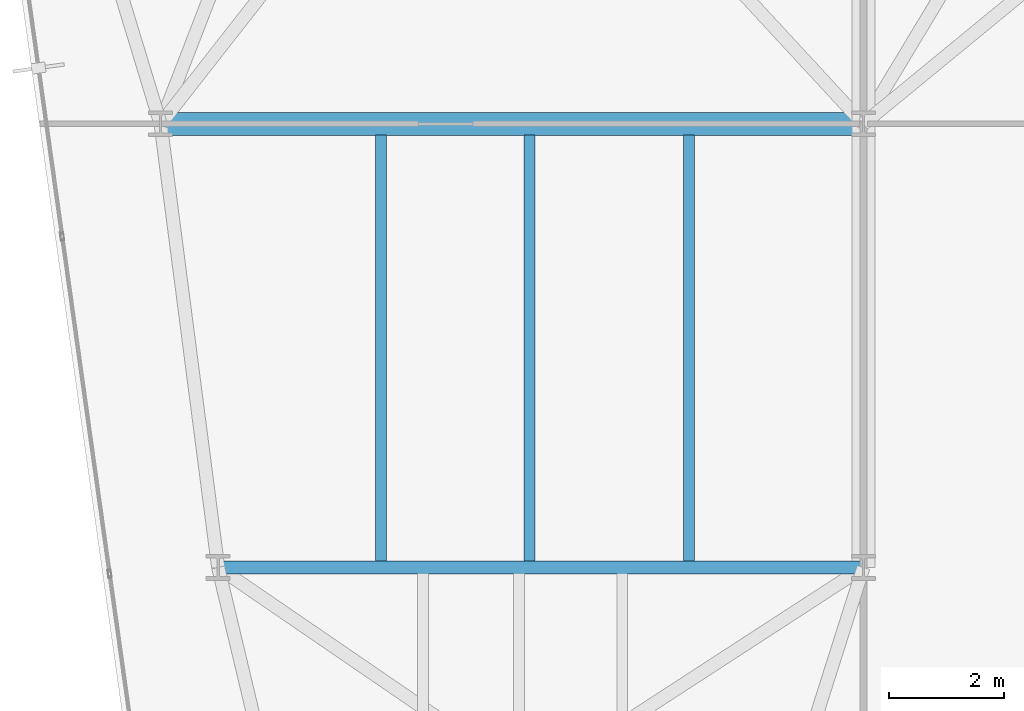
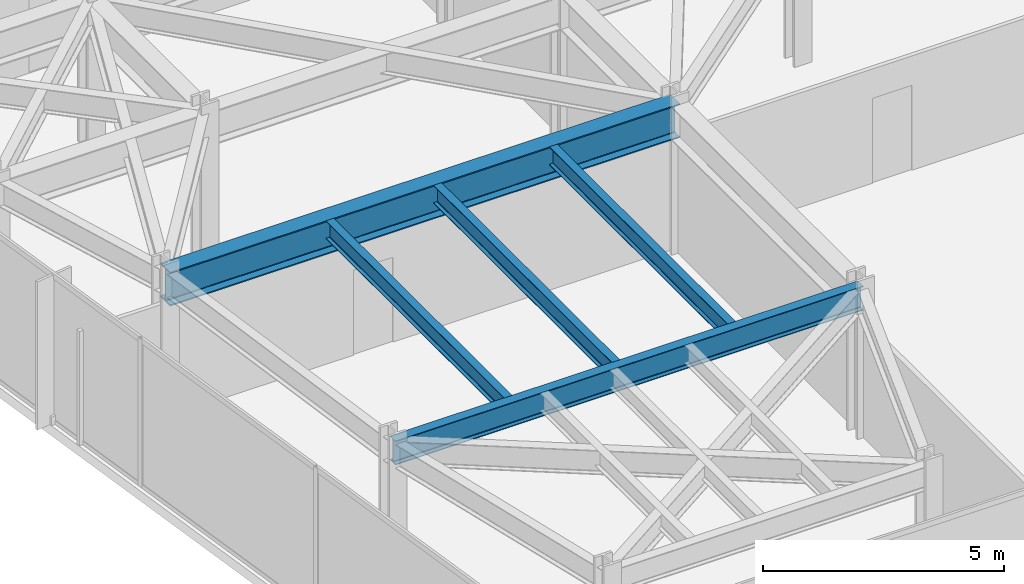
# One storey, part 6 of 26: 5 beams.
"""IFC4 building model written with IfcOpenShell, lengths in metres."""

from ifc_helpers import new_model, si_unit, direction, frame, origin, origin_2d, place, context, subcontext, project, spatial, i_section, extrude, material, material_profile, profile_set, type_object, element, save


model = new_model("IFC4")

# Units and contexts
model_context = context("Model", 3, precision=1e-05, world=origin(), true_north=direction((0.0, 1.0)))
body_context = subcontext(model_context, "Body", "Model", "MODEL_VIEW")
ifc_project = project(units=[si_unit("LENGTHUNIT", "METRE"), si_unit("AREAUNIT", "SQUARE_METRE"), si_unit("VOLUMEUNIT", "CUBIC_METRE"), si_unit("PLANEANGLEUNIT", "RADIAN"), si_unit("MASSUNIT", "GRAM", prefix="KILO")], contexts=[model_context])

# Site, building, storey
site_placement = place(None, origin())
site = spatial("IfcSite", under=ifc_project, at=site_placement, CompositionType="ELEMENT")
building_placement = place(site_placement, origin())
building = spatial("IfcBuilding", under=site, at=building_placement, Name="Kravanh Interchange Tower", CompositionType="ELEMENT")
storey_placement = place(building_placement, frame((0.0, 0.0, 148.0)))
storey = spatial("IfcBuildingStorey", under=building, at=storey_placement, Name="L35", CompositionType="ELEMENT", Elevation=148.0)

# Beams
ifc_material_1 = material(Name="Structural Steel S355", Category="steel")
ifc_material_profile_1 = material_profile(ifc_material_1, i_section(OverallWidth=0.39990234375, OverallDepth=0.85595703125, WebThickness=0.018310546875, FlangeThickness=0.029296875, FilletRadius=0.02490234375, at=origin_2d()), Name="W33X201")
ifc_profile_set_1 = profile_set([ifc_material_profile_1], Name="Structural Steel S355")
beam_type_1 = type_object("IfcBeamType", Name="Floor Beam W33X201 Structural Steel S355", PredefinedType="BEAM", material=ifc_profile_set_1)
beam_1_placement = place(storey_placement, frame((15.0, 22.199951171875, 3.322021484375), z_axis=(1.0, 0.0, 0.0), x_axis=(0.0, 1.0, 0.0)))
element("IfcBeam", 1, at=beam_1_placement, inside=storey, type_object=beam_type_1, Name="L35 Primary Floor Girder 108", PredefinedType="BEAM", context=body_context, shape_type="SweptSolid", body=[
    extrude(i_section(OverallWidth=0.39990234375, OverallDepth=0.85595703125, WebThickness=0.018310546875, FlangeThickness=0.029296875, FilletRadius=0.02490234375, at=origin_2d()), origin(), (0.0, 0.0, 1.0), 12.199951171875),
])
ifc_material_2 = material(Name="Structural Steel S355", Category="steel")
ifc_material_profile_2 = material_profile(ifc_material_2, i_section(OverallWidth=0.18994140625, OverallDepth=0.45703125, WebThickness=0.009033203125, FlangeThickness=0.014404296875, FilletRadius=0.01806640625, at=origin_2d()), Name="W18X50")
ifc_profile_set_2 = profile_set([ifc_material_profile_2], Name="Structural Steel S355")
beam_type_2 = type_object("IfcBeamType", Name="Floor Joist W18X50 Structural Steel S355", PredefinedType="JOIST", material=ifc_profile_set_2)
for number, where, z_axis, x_axis, name in (
    (2, (18.827880859375, 14.60888671875, 3.521484375), (0.0, 1.0, 0.0), (-1.0, 0.0, 0.0), "L35 Secondary Floor Joist 7"),
    (3, (21.402099609375, 14.60888671875, 3.521484375), (0.0, 1.0, 0.0), (-1.0, 0.0, 0.0), "L35 Secondary Floor Joist 8"),
    (4, (24.174072265625, 14.60888671875, 3.521484375), (0.0, 1.0, 0.0), (-1.0, 0.0, 0.0), "L35 Secondary Floor Joist 9"),
):
    element("IfcBeam", number, at=place(storey_placement, frame(where, z_axis=z_axis, x_axis=x_axis)), inside=storey, type_object=beam_type_2, Name=name, PredefinedType="JOIST", context=body_context, shape_type="SweptSolid", body=[
        extrude(i_section(OverallWidth=0.18994140625, OverallDepth=0.45703125, WebThickness=0.009033203125, FlangeThickness=0.014404296875, FilletRadius=0.01806640625, at=origin_2d()), origin(), (0.0, 0.0, 1.0), 7.39599609375),
    ])
ifc_material_3 = material(Name="Structural Steel S355", Category="steel")
ifc_material_profile_3 = material_profile(ifc_material_3, i_section(OverallWidth=0.22802734375, OverallDepth=0.60791015625, WebThickness=0.01123046875, FlangeThickness=0.017333984375, FilletRadius=0.02197265625, at=origin_2d()), Name="W24X76")
ifc_profile_set_3 = profile_set([ifc_material_profile_3], Name="Structural Steel S355")
beam_type_3 = type_object("IfcBeamType", Name="Floor Spandrel W24X76 Structural Steel S355", PredefinedType="SPANDREL", material=ifc_profile_set_3)
beam_2_placement = place(storey_placement, frame((16.0, 14.5, 3.446044921875), z_axis=(1.0, 0.0, 0.0), x_axis=(0.0, 1.0, 0.0)))
element("IfcBeam", 5, at=beam_2_placement, inside=storey, type_object=beam_type_3, Name="L35 Perimeter Spandrel 101", PredefinedType="SPANDREL", context=body_context, shape_type="SweptSolid", body=[
    extrude(i_section(OverallWidth=0.22802734375, OverallDepth=0.60791015625, WebThickness=0.01123046875, FlangeThickness=0.017333984375, FilletRadius=0.02197265625, at=origin_2d()), origin(), (0.0, 0.0, 1.0), 11.199951171875),
])

save(model, "model.ifc")
